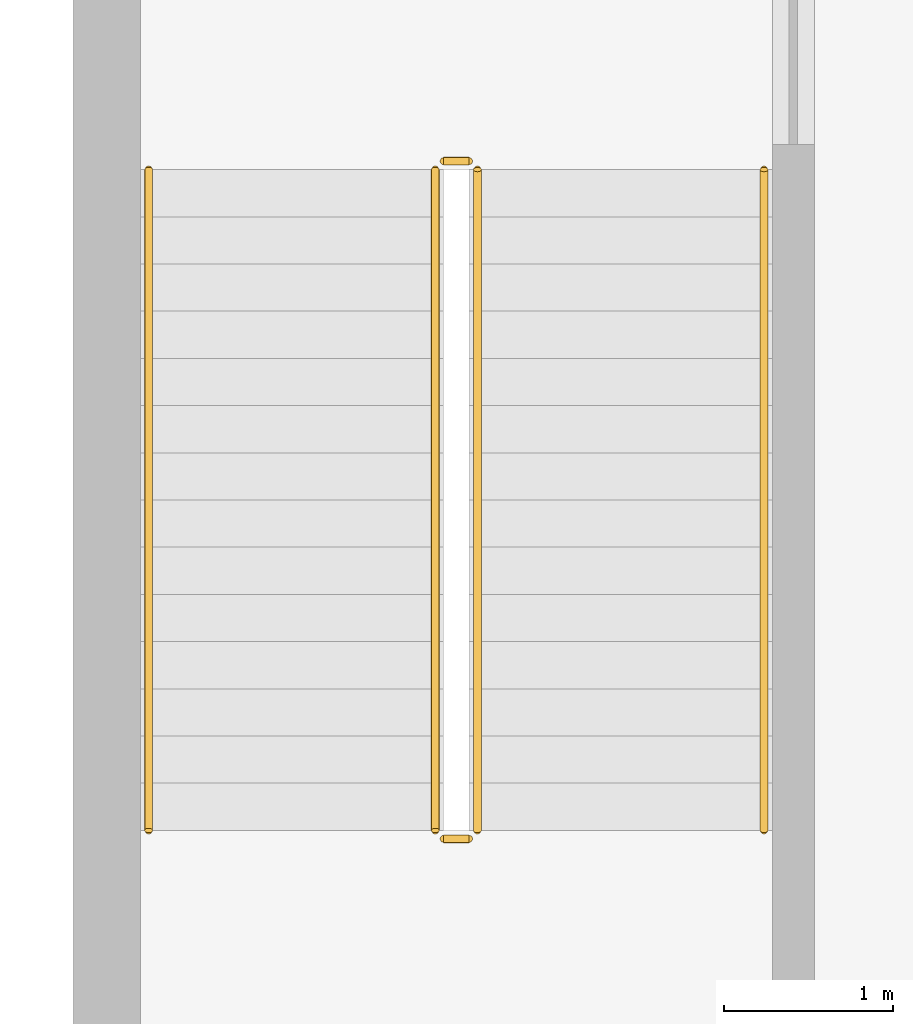
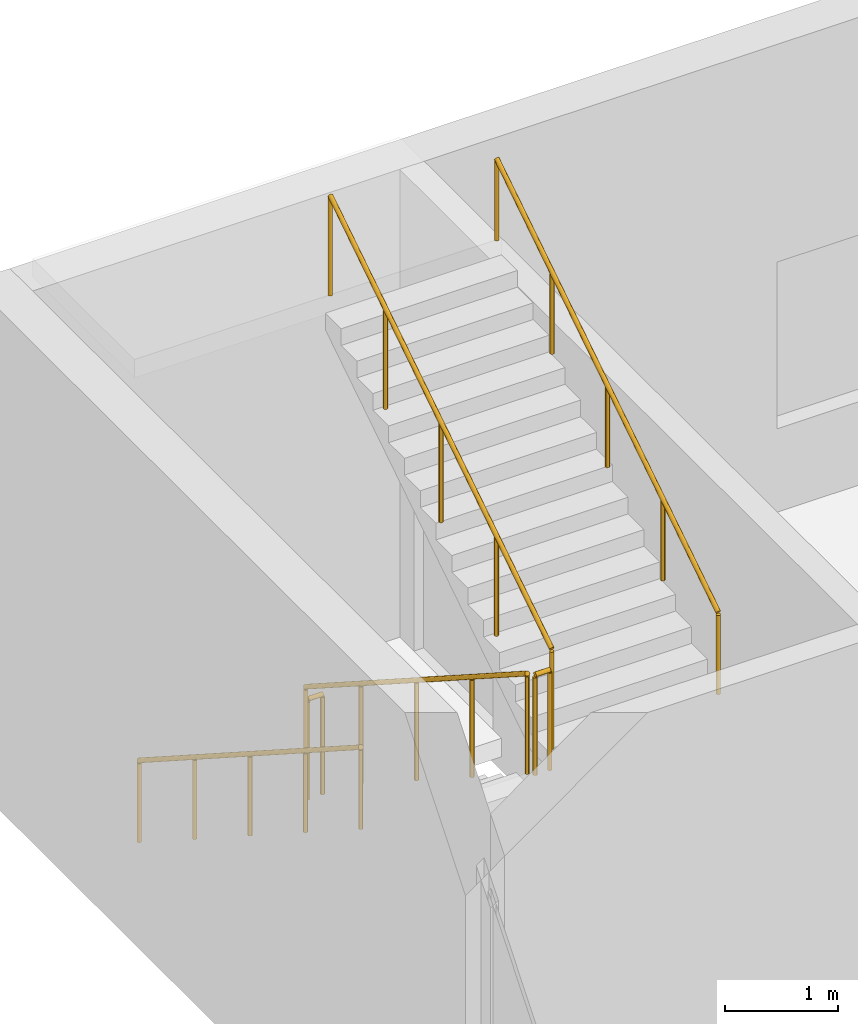
# One storey, part 42 of 43: 6 railings.
"""IFC4 building model written with IfcOpenShell, lengths in metres."""

from ifc_helpers import new_model, si_unit, direction, frame, origin, origin_2d, place, context, subcontext, project, spatial, circle, extrude, material, type_object, element, save


model = new_model("IFC4")

# Units and contexts
model_context = context("Model", 3, precision=1e-05, world=origin(), true_north=direction((0.0, 1.0)))
body_context = subcontext(model_context, "Body", "Model", "MODEL_VIEW")
ifc_project = project(units=[si_unit("LENGTHUNIT", "METRE"), si_unit("AREAUNIT", "SQUARE_METRE"), si_unit("VOLUMEUNIT", "CUBIC_METRE"), si_unit("PLANEANGLEUNIT", "RADIAN"), si_unit("MASSUNIT", "GRAM", prefix="KILO")], contexts=[model_context])

# Site, building, storey
site_placement = place(None, origin())
site = spatial("IfcSite", under=ifc_project, at=site_placement, CompositionType="ELEMENT")
building_placement = place(site_placement, origin())
building = spatial("IfcBuilding", under=site, at=building_placement, Name="Hunhe Ridgeline Campus", CompositionType="ELEMENT")
storey_placement = place(building_placement, frame((0.0, 0.0, 11.39990234375)))
storey = spatial("IfcBuildingStorey", under=building, at=storey_placement, Name="L02", CompositionType="ELEMENT", Elevation=11.39990234375)

# Railings
ifc_material = material(Name="Steel Q235", Category="steel")
railing_type_1 = type_object("IfcRailingType", Name="Hall stair guard 1100", PredefinedType="GUARDRAIL", material=ifc_material)
railing_1_placement = place(storey_placement, frame((152.14990234375, 74.300048828125, 0.18017578125)))
element("IfcRailing", 1, at=railing_1_placement, inside=storey, type_object=railing_type_1, Name="L02 HS2 stair guard 1", PredefinedType="GUARDRAIL", context=body_context, shape_type="SweptSolid", body=[
    extrude(circle(Radius=0.02392578125, at=origin_2d()), frame((0.0, 0.0, 1.076171875), z_axis=(0.0, -0.841186985886, 0.540744352514), x_axis=(1.0, 0.0, 0.0)), (0.0, 0.0, 1.0), 4.660400390625),
    extrude(circle(Radius=0.02099609375, at=origin_2d()), origin(), (0.0, 0.0, 1.0), 1.052001953125),
    extrude(circle(Radius=0.02099609375, at=origin_2d()), frame((0.0, -0.97998046875, 0.6298828125)), (0.0, 0.0, 1.0), 1.052001953125),
    extrude(circle(Radius=0.02099609375, at=origin_2d()), frame((0.0, -1.9599609375, 1.260009765625)), (0.0, 0.0, 1.0), 1.052001953125),
    extrude(circle(Radius=0.02099609375, at=origin_2d()), frame((0.0, -2.940185546875, 1.89013671875)), (0.0, 0.0, 1.0), 1.052001953125),
    extrude(circle(Radius=0.02099609375, at=origin_2d()), frame((0.0, -3.920166015625, 2.52001953125)), (0.0, 0.0, 1.0), 1.052001953125),
])
railing_2_placement = place(storey_placement, frame((152.199951171875, 70.330078125, 2.7001953125)))
element("IfcRailing", 2, at=railing_2_placement, inside=storey, type_object=railing_type_1, Name="L02 HS2 stair guard 2", PredefinedType="GUARDRAIL", context=body_context, shape_type="SweptSolid", body=[
    extrude(circle(Radius=0.02392578125, at=origin_2d()), frame((0.0, 0.0, 1.076171875), z_axis=(1.0, 0.0, 0.0), x_axis=(0.0, 1.0, 0.0)), (0.0, 0.0, 1.0), 0.150146484375),
    extrude(circle(Radius=0.02099609375, at=origin_2d()), origin(), (0.0, 0.0, 1.0), 1.052001953125),
    extrude(circle(Radius=0.02099609375, at=origin_2d()), frame((0.150146484375, 0.0, 0.0)), (0.0, 0.0, 1.0), 1.052001953125),
])
railing_3_placement = place(storey_placement, frame((152.39990234375, 70.3798828125, 2.880126953125)))
element("IfcRailing", 3, at=railing_3_placement, inside=storey, type_object=railing_type_1, Name="L02 HS2 stair guard 3", PredefinedType="GUARDRAIL", context=body_context, shape_type="SweptSolid", body=[
    extrude(circle(Radius=0.02392578125, at=origin_2d()), frame((0.0, 0.0, 1.076171875), z_axis=(0.0, 0.841186985886, 0.540744352514), x_axis=(-1.0, 0.0, 0.0)), (0.0, 0.0, 1.0), 4.660400390625),
    extrude(circle(Radius=0.02099609375, at=origin_2d()), origin(), (0.0, 0.0, 1.0), 1.052001953125),
    extrude(circle(Radius=0.02099609375, at=origin_2d()), frame((0.0, 0.97998046875, 0.6298828125)), (0.0, 0.0, 1.0), 1.052001953125),
    extrude(circle(Radius=0.02099609375, at=origin_2d()), frame((0.0, 1.9599609375, 1.260009765625)), (0.0, 0.0, 1.0), 1.052001953125),
    extrude(circle(Radius=0.02099609375, at=origin_2d()), frame((0.0, 2.940185546875, 1.89013671875)), (0.0, 0.0, 1.0), 1.052001953125),
    extrude(circle(Radius=0.02099609375, at=origin_2d()), frame((0.0, 3.920166015625, 2.52001953125)), (0.0, 0.0, 1.0), 1.052001953125),
])
railing_4_placement = place(storey_placement, frame((152.199951171875, 74.35009765625, 0.0)))
element("IfcRailing", 4, at=railing_4_placement, inside=storey, type_object=railing_type_1, Name="L02 HS2 stair guard 4", PredefinedType="GUARDRAIL", context=body_context, shape_type="SweptSolid", body=[
    extrude(circle(Radius=0.02392578125, at=origin_2d()), frame((0.0, 0.0, 1.076171875), z_axis=(1.0, 0.0, 0.0), x_axis=(0.0, 1.0, 0.0)), (0.0, 0.0, 1.0), 0.150146484375),
    extrude(circle(Radius=0.02099609375, at=origin_2d()), origin(), (0.0, 0.0, 1.0), 1.052001953125),
    extrude(circle(Radius=0.02099609375, at=origin_2d()), frame((0.150146484375, 0.0, 0.0)), (0.0, 0.0, 1.0), 1.052001953125),
])
railing_type_2 = type_object("IfcRailingType", Name="Hall stair handrail", PredefinedType="HANDRAIL", material=ifc_material)
railing_5_placement = place(storey_placement, frame((150.449951171875, 74.300048828125, 0.18017578125)))
element("IfcRailing", 5, at=railing_5_placement, inside=storey, type_object=railing_type_2, Name="L02 HS2 stair handrail 1", PredefinedType="HANDRAIL", context=body_context, shape_type="SweptSolid", body=[
    extrude(circle(Radius=0.02392578125, at=origin_2d()), frame((0.0, 0.0, 0.8759765625), z_axis=(0.0, -0.841186985886, 0.540744352514), x_axis=(1.0, 0.0, 0.0)), (0.0, 0.0, 1.0), 4.660400390625),
    extrude(circle(Radius=0.02099609375, at=origin_2d()), origin(), (0.0, 0.0, 1.0), 0.851806640625),
    extrude(circle(Radius=0.02099609375, at=origin_2d()), frame((0.0, -0.97998046875, 0.6298828125)), (0.0, 0.0, 1.0), 0.851806640625),
    extrude(circle(Radius=0.02099609375, at=origin_2d()), frame((0.0, -1.9599609375, 1.260009765625)), (0.0, 0.0, 1.0), 0.851806640625),
    extrude(circle(Radius=0.02099609375, at=origin_2d()), frame((0.0, -2.940185546875, 1.89013671875)), (0.0, 0.0, 1.0), 0.851806640625),
    extrude(circle(Radius=0.02099609375, at=origin_2d()), frame((0.0, -3.920166015625, 2.52001953125)), (0.0, 0.0, 1.0), 0.851806640625),
])
railing_6_placement = place(storey_placement, frame((154.10009765625, 70.3798828125, 2.880126953125)))
element("IfcRailing", 6, at=railing_6_placement, inside=storey, type_object=railing_type_2, Name="L02 HS2 stair handrail 2", PredefinedType="HANDRAIL", context=body_context, shape_type="SweptSolid", body=[
    extrude(circle(Radius=0.02392578125, at=origin_2d()), frame((0.0, 0.0, 0.8759765625), z_axis=(0.0, 0.841186985886, 0.540744352514), x_axis=(-1.0, 0.0, 0.0)), (0.0, 0.0, 1.0), 4.660400390625),
    extrude(circle(Radius=0.02099609375, at=origin_2d()), origin(), (0.0, 0.0, 1.0), 0.851806640625),
    extrude(circle(Radius=0.02099609375, at=origin_2d()), frame((0.0, 0.97998046875, 0.6298828125)), (0.0, 0.0, 1.0), 0.851806640625),
    extrude(circle(Radius=0.02099609375, at=origin_2d()), frame((0.0, 1.9599609375, 1.260009765625)), (0.0, 0.0, 1.0), 0.851806640625),
    extrude(circle(Radius=0.02099609375, at=origin_2d()), frame((0.0, 2.940185546875, 1.89013671875)), (0.0, 0.0, 1.0), 0.851806640625),
    extrude(circle(Radius=0.02099609375, at=origin_2d()), frame((0.0, 3.920166015625, 2.52001953125)), (0.0, 0.0, 1.0), 0.851806640625),
])

save(model, "model.ifc")
